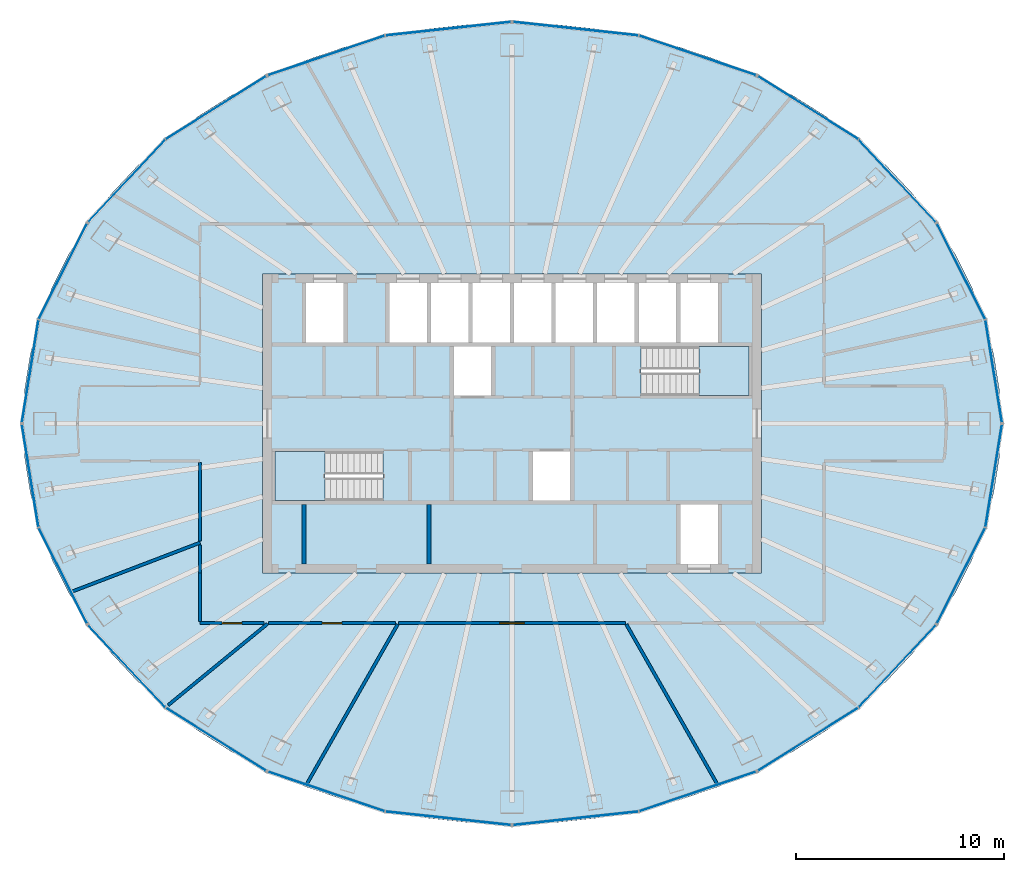
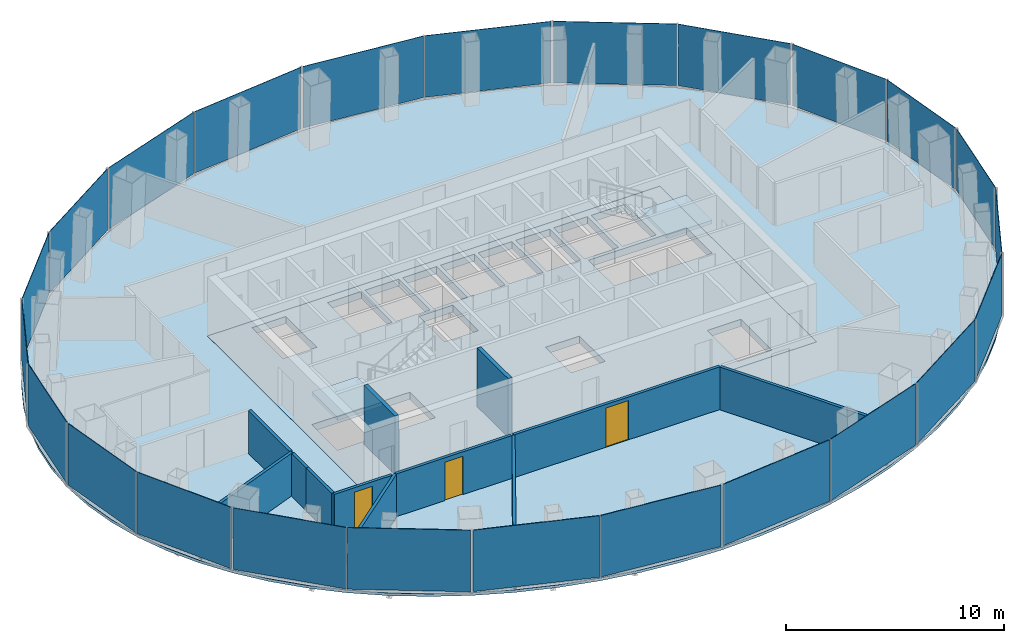
# One storey, part 8 of 13: 24 plates, 12 walls, 4 slabs, 3 doors, 3 openings, 14 elements without a shape of their own.
"""IFC4 building model written with IfcOpenShell, lengths in metres."""

import ifcopenshell
import ifcopenshell.guid

model = None  # the IFC model being written
_history = None  # IfcOwnerHistory: only IFC2X3 demands one
_inside = {}  # id of a spatial element -> (the spatial element, [elements in it])
_under = {}  # id of a project, library or spatial element -> (it, [spatial elements below it])
_declared = {}  # id of a project -> (the project, [libraries it declares])
_typed = {}  # id of a type object -> (the type object, [elements of that type])
_made_of = {}  # id of a material, layer set ... -> (it, [elements and type objects made of it])


def new_model(schema):
    """Start an empty IFC model of exactly this schema.

    Asked for "IFC4X3", IfcOpenShell would pick the latest addendum, in which some entities
    have other attributes; the version numbers below select the first issue.
    IFC2X3 requires an IfcOwnerHistory on every rooted entity: one is made here for all.
    """
    global model, _history
    if schema == "IFC4X3":
        model = ifcopenshell.file(schema_version=(4, 3, 0, 0))
    else:
        model = ifcopenshell.file(schema=schema)
    _inside.clear()
    _under.clear()
    _declared.clear()
    _typed.clear()
    _made_of.clear()
    _history = None
    if model.schema == "IFC2X3":
        org = make("IfcOrganization", Name="unknown")
        user = make(
            "IfcPersonAndOrganization",
            ThePerson=make("IfcPerson", FamilyName="unknown"),
            TheOrganization=org,
        )
        app = make(
            "IfcApplication",
            ApplicationDeveloper=org,
            Version="unknown",
            ApplicationFullName="unknown",
            ApplicationIdentifier="unknown",
        )
        _history = make(
            "IfcOwnerHistory",
            OwningUser=user,
            OwningApplication=app,
            ChangeAction="ADDED",
            CreationDate=0,
        )
    return model


def make(cls, **values):
    """One entity of the class cls with the attributes given. An attribute that is None is left unset."""
    return model.create_entity(
        cls, **{name: value for name, value in values.items() if value is not None}
    )


def rooted(cls, **values):
    """An entity with a GlobalId (a new one), such as an element, a storey or a relation."""
    return make(cls, GlobalId=ifcopenshell.guid.new(), OwnerHistory=_history, **values)


def si_unit(unit_type, name, prefix=None):
    """IfcSIUnit, for example si_unit("LENGTHUNIT", "METRE", prefix="MILLI")."""
    return make("IfcSIUnit", UnitType=unit_type, Prefix=prefix, Name=name)


def assignment(units):
    """IfcUnitAssignment: the units of a project."""
    return None if units is None else make("IfcUnitAssignment", Units=units)


def point(xyz):
    """IfcCartesianPoint."""
    return None if xyz is None else make("IfcCartesianPoint", Coordinates=xyz)


def direction(xyz):
    """IfcDirection."""
    return None if xyz is None else make("IfcDirection", DirectionRatios=xyz)


def frame(location, z_axis=None, x_axis=None):
    """IfcAxis2Placement3D, a coordinate frame: its origin and axes. An axis left out is left unset."""
    return make(
        "IfcAxis2Placement3D",
        Location=point(location),
        Axis=direction(z_axis),
        RefDirection=direction(x_axis),
    )


def frame_2d(location, x_axis=None):
    """IfcAxis2Placement2D, a coordinate frame in the plane: its origin and x axis."""
    return make(
        "IfcAxis2Placement2D", Location=point(location), RefDirection=direction(x_axis)
    )


def origin():
    """The frame at (0, 0, 0) with its axes left unset."""
    return frame((0.0, 0.0, 0.0))


def origin_2d():
    """The frame at (0, 0) in the plane with its x axis left unset."""
    return frame_2d((0.0, 0.0))


def place(relative_to, where):
    """IfcLocalPlacement: puts the frame where relative to a parent placement (None: the world)."""
    return make(
        "IfcLocalPlacement", PlacementRelTo=relative_to, RelativePlacement=where
    )


def context(
    kind, dimensions, precision=None, world=None, true_north=None, identifier=None
):
    """IfcGeometricRepresentationContext, for example the 3D "Model" context."""
    return make(
        "IfcGeometricRepresentationContext",
        ContextIdentifier=identifier,
        ContextType=kind,
        CoordinateSpaceDimension=dimensions,
        Precision=precision,
        WorldCoordinateSystem=world,
        TrueNorth=true_north,
    )


def subcontext(parent, identifier, kind, view, scale=None):
    """IfcGeometricRepresentationSubContext, for example "Body" below "Model"."""
    return make(
        "IfcGeometricRepresentationSubContext",
        ContextIdentifier=identifier,
        ContextType=kind,
        ParentContext=parent,
        TargetScale=scale,
        TargetView=view,
    )


def project(units=None, contexts=None):
    """IfcProject with its units and contexts."""
    return rooted(
        "IfcProject",
        Name="project",
        RepresentationContexts=contexts,
        UnitsInContext=assignment(units),
    )


def spatial(cls, under=None, at=None, **own):
    """A site, building, storey or space (cls), placed at a placement, below another one or the project."""
    s = rooted(cls, ObjectPlacement=at, **own)
    if under is not None:
        _under.setdefault(under.id(), (under, []))[1].append(s)
    return s


def polyline(points):
    """IfcPolyline through the points."""
    return make("IfcPolyline", Points=[point(p) for p in points])


def profile(cls, at=None, kind="AREA", **sizes):
    """A parametric profile (cls). Its sizes go by their IFC names, for example OverallWidth=200.0."""
    return make(cls, ProfileType=kind, Position=at, **sizes)


def rectangle(**sizes):
    """IfcRectangleProfileDef."""
    return profile("IfcRectangleProfileDef", **sizes)


def outline(outer, holes=None, kind="AREA"):
    """IfcArbitraryClosedProfileDef: a profile drawn as a closed curve; with holes, ...WithVoids."""
    if holes is None:
        return make("IfcArbitraryClosedProfileDef", ProfileType=kind, OuterCurve=outer)
    return make(
        "IfcArbitraryProfileDefWithVoids",
        ProfileType=kind,
        OuterCurve=outer,
        InnerCurves=holes,
    )


def extrude(swept, where, along, depth):
    """IfcExtrudedAreaSolid: the profile swept, set in the frame where, extruded along a direction by depth."""
    return make(
        "IfcExtrudedAreaSolid",
        SweptArea=swept,
        Position=where,
        ExtrudedDirection=direction(along),
        Depth=depth,
    )


def shape(context_of_items, identifier, shape_type, items):
    """IfcShapeRepresentation: the items that make up one representation, for example the "Body"."""
    return make(
        "IfcShapeRepresentation",
        ContextOfItems=context_of_items,
        RepresentationIdentifier=identifier,
        RepresentationType=shape_type,
        Items=items,
    )


def material(Name=None, Category=None):
    """IfcMaterial."""
    return make("IfcMaterial", Name=Name, Category=Category)


def layer(
    of_material, thickness, ventilated=None, Name=None, Category=None, Priority=None
):
    """IfcMaterialLayer: one layer of a wall or slab, of a material (None: an air gap)."""
    return make(
        "IfcMaterialLayer",
        Material=of_material,
        LayerThickness=thickness,
        IsVentilated=ventilated,
        Name=Name,
        Category=Category,
        Priority=Priority,
    )


def layer_set(layers, Name=None):
    """IfcMaterialLayerSet."""
    return make("IfcMaterialLayerSet", MaterialLayers=layers, LayerSetName=Name)


def made_of(thing, what):
    """Note that an element or type object is made of a material, layer set ...; save() writes the relation."""
    if what is not None:
        _made_of.setdefault(what.id(), (what, []))[1].append(thing)
    return thing


def type_object(cls, material=None, **own):
    """A type object (cls), such as IfcWallType, which elements share."""
    return made_of(rooted(cls, **own), material)


def element(
    cls,
    number,
    at=None,
    inside=None,
    cuts=None,
    type_object=None,
    material=None,
    context=None,
    identifier="Body",
    shape_type=None,
    held_by="IfcProductDefinitionShape",
    body=None,
    shapes=None,
    **own,
):
    """One element of the class cls, such as IfcWall. Its Tag is "e" and its number.

    at: its placement. inside: the storey or other place that contains it. cuts: it is an
    opening in that element (IfcRelVoidsElement). A single representation is given by context,
    identifier, shape_type and body (its items); several are given by shapes. held_by: the class
    of the entity that holds the representations. save() writes the other relations.
    """
    e = rooted(cls, Tag="e%d" % number, ObjectPlacement=at, **own)
    if body is not None:
        shapes = [shape(context, identifier, shape_type, body)]
    if shapes is not None:
        e.Representation = make(held_by, Representations=shapes)
    if inside is not None:
        _inside.setdefault(inside.id(), (inside, []))[1].append(e)
    if cuts is not None:
        rooted(
            "IfcRelVoidsElement", RelatingBuildingElement=cuts, RelatedOpeningElement=e
        )
    if type_object is not None:
        _typed.setdefault(type_object.id(), (type_object, []))[1].append(e)
    return made_of(e, material)


def fill(opening, filler):
    """IfcRelFillsElement: the door or window that sits in an opening."""
    return rooted(
        "IfcRelFillsElement",
        RelatingOpeningElement=opening,
        RelatedBuildingElement=filler,
    )


def aggregate(whole, parts):
    """IfcRelAggregates: a whole, such as a stair, and the parts it consists of."""
    return rooted("IfcRelAggregates", RelatingObject=whole, RelatedObjects=parts)


def save(model, path):
    """Write the relations noted so far, then the file.

    IfcRelAggregates (storeys below a building ...), IfcRelContainedInSpatialStructure (elements
    in a storey), IfcRelDefinesByType, IfcRelAssociatesMaterial and IfcRelDeclares: one each for
    every whole, place, type object, material and project.
    """
    for whole, parts in _under.values():
        aggregate(whole, parts)
    for where, things in _inside.values():
        rooted(
            "IfcRelContainedInSpatialStructure",
            RelatedElements=things,
            RelatingStructure=where,
        )
    for kind, things in _typed.values():
        rooted("IfcRelDefinesByType", RelatedObjects=things, RelatingType=kind)
    for what, things in _made_of.values():
        rooted("IfcRelAssociatesMaterial", RelatedObjects=things, RelatingMaterial=what)
    for by, libraries in _declared.values():
        rooted("IfcRelDeclares", RelatingContext=by, RelatedDefinitions=libraries)
    model.write(path)


model = new_model("IFC4")

# Units and contexts
model_context = context("Model", 3, precision=1e-05, world=origin(), true_north=direction((0.0, 1.0)))
body_context = subcontext(model_context, "Body", "Model", "MODEL_VIEW")
ifc_project = project(units=[si_unit("LENGTHUNIT", "METRE"), si_unit("AREAUNIT", "SQUARE_METRE"), si_unit("VOLUMEUNIT", "CUBIC_METRE"), si_unit("PLANEANGLEUNIT", "RADIAN"), si_unit("MASSUNIT", "GRAM", prefix="KILO")], contexts=[model_context])

# Site, building, storey
site_placement = place(None, origin())
site = spatial("IfcSite", under=ifc_project, at=site_placement, CompositionType="ELEMENT")
building_placement = place(site_placement, origin())
building = spatial("IfcBuilding", under=site, at=building_placement, Name="Siaravel Broadcast Tower", CompositionType="ELEMENT")
storey_placement = place(building_placement, frame((0.0, 0.0, 171.89990234375)))
storey = spatial("IfcBuildingStorey", under=building, at=storey_placement, Name="L41", CompositionType="ELEMENT", Elevation=171.89990234375)

# Curtain wall, plates
ifc_material_1 = material(Name="Aluminium 6063-T6", Category="aluminium")
ifc_layer_1 = layer(ifc_material_1, 0.179931640625)
ifc_layer_set_1 = layer_set([ifc_layer_1], Name="Aluminium 6063-T6")
curtain_wall_type = type_object("IfcCurtainWallType", Name="Unitised curtain wall, zone 3", PredefinedType="NOTDEFINED", material=ifc_layer_set_1)
curtain_wall_1_placement = place(storey_placement, origin())
curtain_wall_1 = element("IfcCurtainWall", 1, at=curtain_wall_1_placement, inside=storey, type_object=curtain_wall_type, Name="L41 Unitised curtain wall, zone 3 01", PredefinedType="NOTDEFINED")
ifc_material_2 = material(Name="Tinted insulated glass", Category="glass")
ifc_layer_2 = layer(ifc_material_2, 0.028076171875)
ifc_layer_set_2 = layer_set([ifc_layer_2], Name="Tinted insulated glass")
plate_type = type_object("IfcPlateType", Name="CW-Z3 glass panel", PredefinedType="CURTAIN_PANEL", material=ifc_layer_set_2)
plate_1_placement = place(storey_placement, frame((23.17431640625, 2.5166015625, 0.10009765625), z_axis=(0.0, 0.0, 1.0), x_axis=(-0.15868563, 0.98732916, 0.0)))
plate_1 = element("IfcPlate", 2, at=plate_1_placement, type_object=plate_type, Name="CW-Z3 glass panel", PredefinedType="CURTAIN_PANEL", context=body_context, shape_type="SweptSolid", body=[
    extrude(rectangle(XDim=4.977783203125, YDim=0.028076171875, at=origin_2d()), origin(), (0.0, 0.0, 1.0), 3.449951171875),
])
plate_2_placement = place(storey_placement, frame((21.602783203125, 7.321044921875, 0.10009765625), z_axis=(0.0, 0.0, 1.0), x_axis=(-0.4512612, 0.892391915, 0.0)))
plate_2 = element("IfcPlate", 3, at=plate_2_placement, type_object=plate_type, Name="CW-Z3 glass panel", PredefinedType="CURTAIN_PANEL", context=body_context, shape_type="SweptSolid", body=[
    extrude(rectangle(XDim=5.133544921875, YDim=0.028076171875, at=origin_2d()), origin(), (0.0, 0.0, 1.0), 3.449951171875),
])
aggregate(curtain_wall_1, [plate_1, plate_2])

curtain_wall_2_placement = place(storey_placement, origin())
curtain_wall_2 = element("IfcCurtainWall", 4, at=curtain_wall_2_placement, inside=storey, type_object=curtain_wall_type, Name="L41 Unitised curtain wall, zone 3 02", PredefinedType="NOTDEFINED")
plate_3_placement = place(storey_placement, frame((18.532958984375, 11.6767578125, 0.10009765625), z_axis=(0.0, 0.0, 1.0), x_axis=(-0.683655498, 0.729804878, 0.0)))
plate_3 = element("IfcPlate", 5, at=plate_3_placement, type_object=plate_type, Name="CW-Z3 glass panel", PredefinedType="CURTAIN_PANEL", context=body_context, shape_type="SweptSolid", body=[
    extrude(rectangle(XDim=5.392822265625, YDim=0.028076171875, at=origin_2d()), origin(), (0.0, 0.0, 1.0), 3.449951171875),
])
plate_4_placement = place(storey_placement, frame((14.239990234375, 15.193115234375, 0.10009765625), z_axis=(0.0, 0.0, 1.0), x_axis=(-0.846650852, 0.532148789, 0.0)))
plate_4 = element("IfcPlate", 6, at=plate_4_placement, type_object=plate_type, Name="CW-Z3 glass panel", PredefinedType="CURTAIN_PANEL", context=body_context, shape_type="SweptSolid", body=[
    extrude(rectangle(XDim=5.677734375, YDim=0.028076171875, at=origin_2d()), origin(), (0.0, 0.0, 1.0), 3.449951171875),
])
aggregate(curtain_wall_2, [plate_3, plate_4])

curtain_wall_3_placement = place(storey_placement, origin())
curtain_wall_3 = element("IfcCurtainWall", 7, at=curtain_wall_3_placement, inside=storey, type_object=curtain_wall_type, Name="L41 Unitised curtain wall, zone 3 03", PredefinedType="NOTDEFINED")
plate_5_placement = place(storey_placement, frame((8.928955078125, 17.705078125, 0.10009765625), z_axis=(0.0, 0.0, 1.0), x_axis=(-0.946977364, 0.321300283, 0.0)))
plate_5 = element("IfcPlate", 8, at=plate_5_placement, type_object=plate_type, Name="CW-Z3 glass panel", PredefinedType="CURTAIN_PANEL", context=body_context, shape_type="SweptSolid", body=[
    extrude(rectangle(XDim=5.913818359375, YDim=0.028076171875, at=origin_2d()), origin(), (0.0, 0.0, 1.0), 3.449951171875),
])
plate_6_placement = place(storey_placement, frame((3.065185546875, 18.9921875, 0.10009765625), z_axis=(0.0, 0.0, 1.0), x_axis=(-0.994235605, 0.107217362, 0.0)))
plate_6 = element("IfcPlate", 9, at=plate_6_placement, type_object=plate_type, Name="CW-Z3 glass panel", PredefinedType="CURTAIN_PANEL", context=body_context, shape_type="SweptSolid", body=[
    extrude(rectangle(XDim=6.0458984375, YDim=0.028076171875, at=origin_2d()), origin(), (0.0, 0.0, 1.0), 3.449951171875),
])
aggregate(curtain_wall_3, [plate_5, plate_6])

curtain_wall_4_placement = place(storey_placement, origin())
curtain_wall_4 = element("IfcCurtainWall", 10, at=curtain_wall_4_placement, inside=storey, type_object=curtain_wall_type, Name="L41 Unitised curtain wall, zone 3 04", PredefinedType="NOTDEFINED")
plate_7_placement = place(storey_placement, frame((-3.065185546875, 18.9921875, 0.10009765625), z_axis=(0.0, 0.0, 1.0), x_axis=(-0.994235605, -0.107217362, 0.0)))
plate_7 = element("IfcPlate", 11, at=plate_7_placement, type_object=plate_type, Name="CW-Z3 glass panel", PredefinedType="CURTAIN_PANEL", context=body_context, shape_type="SweptSolid", body=[
    extrude(rectangle(XDim=6.0458984375, YDim=0.028076171875, at=origin_2d()), origin(), (0.0, 0.0, 1.0), 3.449951171875),
])
plate_8_placement = place(storey_placement, frame((-8.928955078125, 17.705078125, 0.10009765625), z_axis=(0.0, 0.0, 1.0), x_axis=(-0.946977364, -0.321300283, 0.0)))
plate_8 = element("IfcPlate", 12, at=plate_8_placement, type_object=plate_type, Name="CW-Z3 glass panel", PredefinedType="CURTAIN_PANEL", context=body_context, shape_type="SweptSolid", body=[
    extrude(rectangle(XDim=5.913818359375, YDim=0.028076171875, at=origin_2d()), origin(), (0.0, 0.0, 1.0), 3.449951171875),
])
aggregate(curtain_wall_4, [plate_7, plate_8])

curtain_wall_5_placement = place(storey_placement, origin())
curtain_wall_5 = element("IfcCurtainWall", 13, at=curtain_wall_5_placement, inside=storey, type_object=curtain_wall_type, Name="L41 Unitised curtain wall, zone 3 05", PredefinedType="NOTDEFINED")
plate_9_placement = place(storey_placement, frame((-14.239990234375, 15.193115234375, 0.10009765625), z_axis=(0.0, 0.0, 1.0), x_axis=(-0.846650852, -0.532148789, 0.0)))
plate_9 = element("IfcPlate", 14, at=plate_9_placement, type_object=plate_type, Name="CW-Z3 glass panel", PredefinedType="CURTAIN_PANEL", context=body_context, shape_type="SweptSolid", body=[
    extrude(rectangle(XDim=5.677734375, YDim=0.028076171875, at=origin_2d()), origin(), (0.0, 0.0, 1.0), 3.449951171875),
])
plate_10_placement = place(storey_placement, frame((-18.532958984375, 11.6767578125, 0.10009765625), z_axis=(0.0, 0.0, 1.0), x_axis=(-0.683655498, -0.729804878, 0.0)))
plate_10 = element("IfcPlate", 15, at=plate_10_placement, type_object=plate_type, Name="CW-Z3 glass panel", PredefinedType="CURTAIN_PANEL", context=body_context, shape_type="SweptSolid", body=[
    extrude(rectangle(XDim=5.392822265625, YDim=0.028076171875, at=origin_2d()), origin(), (0.0, 0.0, 1.0), 3.449951171875),
])
aggregate(curtain_wall_5, [plate_9, plate_10])

curtain_wall_6_placement = place(storey_placement, origin())
curtain_wall_6 = element("IfcCurtainWall", 16, at=curtain_wall_6_placement, inside=storey, type_object=curtain_wall_type, Name="L41 Unitised curtain wall, zone 3 06", PredefinedType="NOTDEFINED")
plate_11_placement = place(storey_placement, frame((-21.602783203125, 7.321044921875, 0.10009765625), z_axis=(0.0, 0.0, 1.0), x_axis=(-0.4512612, -0.892391915, 0.0)))
plate_11 = element("IfcPlate", 17, at=plate_11_placement, type_object=plate_type, Name="CW-Z3 glass panel", PredefinedType="CURTAIN_PANEL", context=body_context, shape_type="SweptSolid", body=[
    extrude(rectangle(XDim=5.133544921875, YDim=0.028076171875, at=origin_2d()), origin(), (0.0, 0.0, 1.0), 3.449951171875),
])
plate_12_placement = place(storey_placement, frame((-23.17431640625, 2.5166015625, 0.10009765625), z_axis=(0.0, 0.0, 1.0), x_axis=(-0.15868563, -0.98732916, 0.0)))
plate_12 = element("IfcPlate", 18, at=plate_12_placement, type_object=plate_type, Name="CW-Z3 glass panel", PredefinedType="CURTAIN_PANEL", context=body_context, shape_type="SweptSolid", body=[
    extrude(rectangle(XDim=4.977783203125, YDim=0.028076171875, at=origin_2d()), origin(), (0.0, 0.0, 1.0), 3.449951171875),
])
aggregate(curtain_wall_6, [plate_11, plate_12])

curtain_wall_7_placement = place(storey_placement, origin())
curtain_wall_7 = element("IfcCurtainWall", 19, at=curtain_wall_7_placement, inside=storey, type_object=curtain_wall_type, Name="L41 Unitised curtain wall, zone 3 07", PredefinedType="NOTDEFINED")
plate_13_placement = place(storey_placement, frame((-23.17431640625, -2.5166015625, 0.10009765625), z_axis=(0.0, 0.0, 1.0), x_axis=(0.15868563, -0.98732916, 0.0)))
plate_13 = element("IfcPlate", 20, at=plate_13_placement, type_object=plate_type, Name="CW-Z3 glass panel", PredefinedType="CURTAIN_PANEL", context=body_context, shape_type="SweptSolid", body=[
    extrude(rectangle(XDim=4.977783203125, YDim=0.028076171875, at=origin_2d()), origin(), (0.0, 0.0, 1.0), 3.449951171875),
])
plate_14_placement = place(storey_placement, frame((-21.602783203125, -7.321044921875, 0.10009765625), z_axis=(0.0, 0.0, 1.0), x_axis=(0.4512612, -0.892391915, 0.0)))
plate_14 = element("IfcPlate", 21, at=plate_14_placement, type_object=plate_type, Name="CW-Z3 glass panel", PredefinedType="CURTAIN_PANEL", context=body_context, shape_type="SweptSolid", body=[
    extrude(rectangle(XDim=5.133544921875, YDim=0.028076171875, at=origin_2d()), origin(), (0.0, 0.0, 1.0), 3.449951171875),
])
aggregate(curtain_wall_7, [plate_13, plate_14])

curtain_wall_8_placement = place(storey_placement, origin())
curtain_wall_8 = element("IfcCurtainWall", 22, at=curtain_wall_8_placement, inside=storey, type_object=curtain_wall_type, Name="L41 Unitised curtain wall, zone 3 08", PredefinedType="NOTDEFINED")
plate_15_placement = place(storey_placement, frame((-18.532958984375, -11.6767578125, 0.10009765625), z_axis=(0.0, 0.0, 1.0), x_axis=(0.683655498, -0.729804878, 0.0)))
plate_15 = element("IfcPlate", 23, at=plate_15_placement, type_object=plate_type, Name="CW-Z3 glass panel", PredefinedType="CURTAIN_PANEL", context=body_context, shape_type="SweptSolid", body=[
    extrude(rectangle(XDim=5.392822265625, YDim=0.028076171875, at=origin_2d()), origin(), (0.0, 0.0, 1.0), 3.449951171875),
])
plate_16_placement = place(storey_placement, frame((-14.239990234375, -15.193115234375, 0.10009765625), z_axis=(0.0, 0.0, 1.0), x_axis=(0.846650852, -0.532148789, 0.0)))
plate_16 = element("IfcPlate", 24, at=plate_16_placement, type_object=plate_type, Name="CW-Z3 glass panel", PredefinedType="CURTAIN_PANEL", context=body_context, shape_type="SweptSolid", body=[
    extrude(rectangle(XDim=5.677734375, YDim=0.028076171875, at=origin_2d()), origin(), (0.0, 0.0, 1.0), 3.449951171875),
])
aggregate(curtain_wall_8, [plate_15, plate_16])

curtain_wall_9_placement = place(storey_placement, origin())
curtain_wall_9 = element("IfcCurtainWall", 25, at=curtain_wall_9_placement, inside=storey, type_object=curtain_wall_type, Name="L41 Unitised curtain wall, zone 3 09", PredefinedType="NOTDEFINED")
plate_17_placement = place(storey_placement, frame((-8.928955078125, -17.705078125, 0.10009765625), z_axis=(0.0, 0.0, 1.0), x_axis=(0.946977364, -0.321300283, 0.0)))
plate_17 = element("IfcPlate", 26, at=plate_17_placement, type_object=plate_type, Name="CW-Z3 glass panel", PredefinedType="CURTAIN_PANEL", context=body_context, shape_type="SweptSolid", body=[
    extrude(rectangle(XDim=5.913818359375, YDim=0.028076171875, at=origin_2d()), origin(), (0.0, 0.0, 1.0), 3.449951171875),
])
plate_18_placement = place(storey_placement, frame((-3.065185546875, -18.9921875, 0.10009765625), z_axis=(0.0, 0.0, 1.0), x_axis=(0.994235605, -0.107217362, 0.0)))
plate_18 = element("IfcPlate", 27, at=plate_18_placement, type_object=plate_type, Name="CW-Z3 glass panel", PredefinedType="CURTAIN_PANEL", context=body_context, shape_type="SweptSolid", body=[
    extrude(rectangle(XDim=6.0458984375, YDim=0.028076171875, at=origin_2d()), origin(), (0.0, 0.0, 1.0), 3.449951171875),
])
aggregate(curtain_wall_9, [plate_17, plate_18])

curtain_wall_10_placement = place(storey_placement, origin())
curtain_wall_10 = element("IfcCurtainWall", 28, at=curtain_wall_10_placement, inside=storey, type_object=curtain_wall_type, Name="L41 Unitised curtain wall, zone 3 10", PredefinedType="NOTDEFINED")
plate_19_placement = place(storey_placement, frame((3.065185546875, -18.9921875, 0.10009765625), z_axis=(0.0, 0.0, 1.0), x_axis=(0.994235605, 0.107217362, 0.0)))
plate_19 = element("IfcPlate", 29, at=plate_19_placement, type_object=plate_type, Name="CW-Z3 glass panel", PredefinedType="CURTAIN_PANEL", context=body_context, shape_type="SweptSolid", body=[
    extrude(rectangle(XDim=6.0458984375, YDim=0.028076171875, at=origin_2d()), origin(), (0.0, 0.0, 1.0), 3.449951171875),
])
plate_20_placement = place(storey_placement, frame((8.928955078125, -17.705078125, 0.10009765625), z_axis=(0.0, 0.0, 1.0), x_axis=(0.946977364, 0.321300283, 0.0)))
plate_20 = element("IfcPlate", 30, at=plate_20_placement, type_object=plate_type, Name="CW-Z3 glass panel", PredefinedType="CURTAIN_PANEL", context=body_context, shape_type="SweptSolid", body=[
    extrude(rectangle(XDim=5.913818359375, YDim=0.028076171875, at=origin_2d()), origin(), (0.0, 0.0, 1.0), 3.449951171875),
])
aggregate(curtain_wall_10, [plate_19, plate_20])

curtain_wall_11_placement = place(storey_placement, origin())
curtain_wall_11 = element("IfcCurtainWall", 31, at=curtain_wall_11_placement, inside=storey, type_object=curtain_wall_type, Name="L41 Unitised curtain wall, zone 3 11", PredefinedType="NOTDEFINED")
plate_21_placement = place(storey_placement, frame((14.239990234375, -15.193115234375, 0.10009765625), z_axis=(0.0, 0.0, 1.0), x_axis=(0.846650852, 0.532148789, 0.0)))
plate_21 = element("IfcPlate", 32, at=plate_21_placement, type_object=plate_type, Name="CW-Z3 glass panel", PredefinedType="CURTAIN_PANEL", context=body_context, shape_type="SweptSolid", body=[
    extrude(rectangle(XDim=5.677734375, YDim=0.028076171875, at=origin_2d()), origin(), (0.0, 0.0, 1.0), 3.449951171875),
])
plate_22_placement = place(storey_placement, frame((18.532958984375, -11.6767578125, 0.10009765625), z_axis=(0.0, 0.0, 1.0), x_axis=(0.683655498, 0.729804878, 0.0)))
plate_22 = element("IfcPlate", 33, at=plate_22_placement, type_object=plate_type, Name="CW-Z3 glass panel", PredefinedType="CURTAIN_PANEL", context=body_context, shape_type="SweptSolid", body=[
    extrude(rectangle(XDim=5.392822265625, YDim=0.028076171875, at=origin_2d()), origin(), (0.0, 0.0, 1.0), 3.449951171875),
])
aggregate(curtain_wall_11, [plate_21, plate_22])

curtain_wall_12_placement = place(storey_placement, origin())
curtain_wall_12 = element("IfcCurtainWall", 34, at=curtain_wall_12_placement, inside=storey, type_object=curtain_wall_type, Name="L41 Unitised curtain wall, zone 3 12", PredefinedType="NOTDEFINED")
plate_23_placement = place(storey_placement, frame((21.602783203125, -7.321044921875, 0.10009765625), z_axis=(0.0, 0.0, 1.0), x_axis=(0.4512612, 0.892391915, 0.0)))
plate_23 = element("IfcPlate", 35, at=plate_23_placement, type_object=plate_type, Name="CW-Z3 glass panel", PredefinedType="CURTAIN_PANEL", context=body_context, shape_type="SweptSolid", body=[
    extrude(rectangle(XDim=5.133544921875, YDim=0.028076171875, at=origin_2d()), origin(), (0.0, 0.0, 1.0), 3.449951171875),
])
plate_24_placement = place(storey_placement, frame((23.17431640625, -2.5166015625, 0.10009765625), z_axis=(0.0, 0.0, 1.0), x_axis=(0.15868563, 0.98732916, 0.0)))
plate_24 = element("IfcPlate", 36, at=plate_24_placement, type_object=plate_type, Name="CW-Z3 glass panel", PredefinedType="CURTAIN_PANEL", context=body_context, shape_type="SweptSolid", body=[
    extrude(rectangle(XDim=4.977783203125, YDim=0.028076171875, at=origin_2d()), origin(), (0.0, 0.0, 1.0), 3.449951171875),
])
aggregate(curtain_wall_12, [plate_23, plate_24])

# Slabs
ifc_material_3 = material(Name="Concrete C40/50", Category="concrete")
ifc_layer_3 = layer(ifc_material_3, 0.39990234375)
ifc_layer_set_3 = layer_set([ifc_layer_3], Name="Concrete C40/50")
slab_type_1 = type_object("IfcSlabType", Name="Core floor slab 400", PredefinedType="FLOOR", material=ifc_layer_set_3)
slab_1_placement = place(storey_placement, frame((0.0, 0.0, -0.39990234375)))
element("IfcSlab", 37, at=slab_1_placement, inside=storey, type_object=slab_type_1, Name="L41 core floor", PredefinedType="FLOOR", context=body_context, shape_type="SweptSolid", body=[
    extrude(outline(polyline([(-12.0, -7.199951171875), (-12.0, 7.199951171875), (12.0, 7.199951171875), (12.0, -7.199951171875), (-12.0, -7.199951171875)]), holes=[polyline([(11.3994140625, 1.3505859375), (11.3994140625, 3.699462890625), (6.200439453125, 3.699462890625), (6.200439453125, 1.3505859375), (11.3994140625, 1.3505859375)]), polyline([(8.10009765625, -3.89990234375), (8.10009765625, -6.75), (9.89990234375, -6.75), (9.89990234375, -3.89990234375), (8.10009765625, -3.89990234375)]), polyline([(9.89990234375, 6.75), (8.10009765625, 6.75), (8.10009765625, 3.89990234375), (9.89990234375, 3.89990234375), (9.89990234375, 6.75)]), polyline([(7.89990234375, 6.75), (6.10009765625, 6.75), (6.10009765625, 3.89990234375), (7.89990234375, 3.89990234375), (7.89990234375, 6.75)]), polyline([(5.89990234375, 6.75), (4.10009765625, 6.75), (4.10009765625, 3.89990234375), (5.89990234375, 3.89990234375), (5.89990234375, 6.75)]), polyline([(3.89990234375, 6.75), (2.10009765625, 6.75), (2.10009765625, 3.89990234375), (3.89990234375, 3.89990234375), (3.89990234375, 6.75)]), polyline([(2.800048828125, -1.35009765625), (1.0, -1.35009765625), (1.0, -3.699951171875), (2.800048828125, -3.699951171875), (2.800048828125, -1.35009765625)]), polyline([(1.89990234375, 6.75), (0.10009765625, 6.75), (0.10009765625, 3.89990234375), (1.89990234375, 3.89990234375), (1.89990234375, 6.75)]), polyline([(-0.10009765625, 6.75), (-1.89990234375, 6.75), (-1.89990234375, 3.89990234375), (-0.10009765625, 3.89990234375), (-0.10009765625, 6.75)]), polyline([(-1.0, 3.699951171875), (-2.800048828125, 3.699951171875), (-2.800048828125, 1.35009765625), (-1.0, 1.35009765625), (-1.0, 3.699951171875)]), polyline([(-2.10009765625, 6.75), (-3.89990234375, 6.75), (-3.89990234375, 3.89990234375), (-2.10009765625, 3.89990234375), (-2.10009765625, 6.75)]), polyline([(-4.10009765625, 6.75), (-5.89990234375, 6.75), (-5.89990234375, 3.89990234375), (-4.10009765625, 3.89990234375), (-4.10009765625, 6.75)]), polyline([(-11.3994140625, -3.699462890625), (-6.200439453125, -3.699462890625), (-6.200439453125, -1.3505859375), (-11.3994140625, -1.3505859375), (-11.3994140625, -3.699462890625)]), polyline([(-8.10009765625, 6.75), (-9.89990234375, 6.75), (-9.89990234375, 3.89990234375), (-8.10009765625, 3.89990234375), (-8.10009765625, 6.75)])]), origin(), (0.0, 0.0, 1.0), 0.39990234375),
])
ifc_layer_4 = layer(ifc_material_3, 0.14990234375)
ifc_layer_set_4 = layer_set([ifc_layer_4], Name="Concrete C40/50")
slab_type_2 = type_object("IfcSlabType", Name="SLB-FLOOR-150", PredefinedType="FLOOR", material=ifc_layer_set_4)
slab_2_placement = place(storey_placement, frame((0.0, 0.0, -0.14990234375)))
element("IfcSlab", 38, at=slab_2_placement, inside=storey, type_object=slab_type_2, Name="Floor slab", PredefinedType="FLOOR", context=body_context, shape_type="SweptSolid", body=[
    extrude(outline(polyline([(23.52880859375, 0.0), (23.439208984375, 1.6796875), (23.171142578125, 3.3466796875), (22.72705078125, 4.988037109375), (22.109619140625, 6.591552734375), (21.32421875, 8.14501953125), (20.37646484375, 9.63623046875), (19.273681640625, 11.05419921875), (18.02392578125, 12.38818359375), (16.63720703125, 13.627685546875), (15.1240234375, 14.763671875), (13.49560546875, 15.787109375), (11.764404296875, 16.690673828125), (9.943603515625, 17.466796875), (8.04736328125, 18.1103515625), (6.089599609375, 18.615966796875), (4.085693359375, 18.979736328125), (2.05078125, 19.19921875), (0.0, 19.272705078125), (-2.05078125, 19.19921875), (-4.085693359375, 18.979736328125), (-6.089599609375, 18.615966796875), (-8.04736328125, 18.1103515625), (-9.943603515625, 17.466796875), (-11.764404296875, 16.690673828125), (-13.49560546875, 15.787109375), (-15.1240234375, 14.763671875), (-16.63720703125, 13.627685546875), (-18.02392578125, 12.38818359375), (-19.273681640625, 11.05419921875), (-20.37646484375, 9.63623046875), (-21.32421875, 8.14501953125), (-22.109619140625, 6.591552734375), (-22.72705078125, 4.988037109375), (-23.171142578125, 3.3466796875), (-23.439208984375, 1.6796875), (-23.52880859375, 0.0), (-23.439208984375, -1.6796875), (-23.171142578125, -3.3466796875), (-22.72705078125, -4.988037109375), (-22.109619140625, -6.591552734375), (-21.32421875, -8.14501953125), (-20.37646484375, -9.63623046875), (-19.273681640625, -11.05419921875), (-18.02392578125, -12.38818359375), (-16.63720703125, -13.627685546875), (-15.1240234375, -14.763671875), (-13.49560546875, -15.787109375), (-11.764404296875, -16.690673828125), (-9.943603515625, -17.466796875), (-8.04736328125, -18.1103515625), (-6.089599609375, -18.615966796875), (-4.085693359375, -18.979736328125), (-2.05078125, -19.19921875), (0.0, -19.272705078125), (2.05078125, -19.19921875), (4.085693359375, -18.979736328125), (6.089599609375, -18.615966796875), (8.04736328125, -18.1103515625), (9.943603515625, -17.466796875), (11.764404296875, -16.690673828125), (13.49560546875, -15.787109375), (15.1240234375, -14.763671875), (16.63720703125, -13.627685546875), (18.02392578125, -12.38818359375), (19.273681640625, -11.05419921875), (20.37646484375, -9.63623046875), (21.32421875, -8.14501953125), (22.109619140625, -6.591552734375), (22.72705078125, -4.988037109375), (23.171142578125, -3.3466796875), (23.439208984375, -1.6796875), (23.52880859375, 0.0)]), holes=[polyline([(-12.0, 7.199951171875), (12.0, 7.199951171875), (12.0, -7.199951171875), (-12.0, -7.199951171875), (-12.0, 7.199951171875)])]), origin(), (0.0, 0.0, 1.0), 0.14990234375),
])

# Stair, slab
stair_type = type_object("IfcStairType", Name="Core exit stair", PredefinedType="HALF_TURN_STAIR", material=ifc_material_3)
stair_1_placement = place(storey_placement, origin())
stair_1 = element("IfcStair", 39, at=stair_1_placement, inside=storey, type_object=stair_type, Name="L41 Exit stair ST-1", PredefinedType="HALF_TURN_STAIR")
ifc_layer_5 = layer(ifc_material_3, 0.199951171875)
ifc_layer_set_5 = layer_set([ifc_layer_5], Name="Concrete C40/50")
slab_type_3 = type_object("IfcSlabType", Name="Stair landing", PredefinedType="LANDING", material=ifc_layer_set_5)
slab_3_placement = place(storey_placement, frame((0.0, 0.0, 1.650146484375)))
slab_3 = element("IfcSlab", 40, at=slab_3_placement, type_object=slab_type_3, Name="ST-1 landing 1", PredefinedType="LANDING", context=body_context, shape_type="SweptSolid", body=[
    extrude(outline(polyline([(-9.0, -1.35009765625), (-11.39990234375, -1.35009765625), (-11.39990234375, -3.699951171875), (-9.0, -3.699951171875), (-9.0, -1.35009765625)])), origin(), (0.0, 0.0, 1.0), 0.199951171875),
])
aggregate(stair_1, [slab_3])

stair_2_placement = place(storey_placement, origin())
stair_2 = element("IfcStair", 41, at=stair_2_placement, inside=storey, type_object=stair_type, Name="L41 Exit stair ST-2", PredefinedType="HALF_TURN_STAIR")
slab_4_placement = place(storey_placement, frame((0.0, 0.0, 1.650146484375)))
slab_4 = element("IfcSlab", 42, at=slab_4_placement, type_object=slab_type_3, Name="ST-2 landing 1", PredefinedType="LANDING", context=body_context, shape_type="SweptSolid", body=[
    extrude(outline(polyline([(9.0, 1.35009765625), (11.39990234375, 1.35009765625), (11.39990234375, 3.699951171875), (9.0, 3.699951171875), (9.0, 1.35009765625)])), origin(), (0.0, 0.0, 1.0), 0.199951171875),
])
aggregate(stair_2, [slab_4])

# Wall
ifc_material_4 = material(Name="Concrete blockwork", Category="masonry")
ifc_layer_6 = layer(ifc_material_4, 0.199951171875)
ifc_layer_set_6 = layer_set([ifc_layer_6], Name="Concrete blockwork")
wall_type_1 = type_object("IfcWallType", Name="Core partition 200", PredefinedType="PARTITIONING", material=ifc_layer_set_6)
wall_1_placement = place(storey_placement, frame((-4.0, -6.75, 0.0), z_axis=(0.0, 0.0, 1.0), x_axis=(0.0, 1.0, 0.0)))
element("IfcWall", 43, at=wall_1_placement, inside=storey, type_object=wall_type_1, Name="L41 core partition PFS0", PredefinedType="PARTITIONING", context=body_context, shape_type="SweptSolid", body=[
    extrude(rectangle(XDim=2.85009765625, YDim=0.199951171875, at=frame_2d((1.425048828125, 0.0))), origin(), (0.0, 0.0, 1.0), 3.300048828125),
])

# Wall, opening, door
ifc_material_5 = material(Name="Gypsum board partition", Category="gypsum")
ifc_layer_7 = layer(ifc_material_5, 0.14990234375)
ifc_layer_set_7 = layer_set([ifc_layer_7], Name="Gypsum board partition")
wall_type_2 = type_object("IfcWallType", Name="Corridor wall 150", PredefinedType="PARTITIONING", material=ifc_layer_set_7)
wall_2_placement = place(storey_placement, frame((-5.465087890625, -9.60009765625, 0.0), z_axis=(0.0, 0.0, 1.0), x_axis=(1.0, 0.0, 0.0)))
wall_2 = element("IfcWall", 44, at=wall_2_placement, inside=storey, type_object=wall_type_2, Name="L41 partition 2", PredefinedType="PARTITIONING", context=body_context, shape_type="SweptSolid", body=[
    extrude(rectangle(XDim=10.93017578125, YDim=0.14990234375, at=frame_2d((5.465087890625, 0.0))), origin(), (0.0, 0.0, 1.0), 2.400146484375),
])
opening_1_placement = place(wall_2_placement, frame((4.865234375, 0.0, 0.0)))
opening_1 = element("IfcOpeningElement", 45, at=opening_1_placement, cuts=wall_2, Name="Opening L41-002", PredefinedType="OPENING", context=body_context, shape_type="SweptSolid", body=[
    extrude(rectangle(XDim=1.199951171875, YDim=2.199951171875, at=frame_2d((0.60009765625, 1.10009765625))), frame((0.0, 0.0849609375, 0.0), z_axis=(0.0, -1.0, 0.0), x_axis=(1.0, 0.0, 0.0)), (0.0, 0.0, 1.0), 0.169921875),
])
ifc_material_6 = material(Name="Timber veneer", Category="wood")
door_type_1 = type_object("IfcDoorType", Name="Office double door 1200", OperationType="DOUBLE_DOOR_SINGLE_SWING", PredefinedType="DOOR", material=ifc_material_6)
door_1_placement = place(opening_1_placement, origin())
door_1 = element("IfcDoor", 46, at=door_1_placement, inside=storey, type_object=door_type_1, Name="L41 door to Open plan office", OperationType="DOUBLE_DOOR_SINGLE_SWING", OverallHeight=2.199951171875, OverallWidth=1.199951171875, PredefinedType="DOOR", context=body_context, shape_type="SweptSolid", body=[
    extrude(rectangle(XDim=1.199951171875, YDim=2.199951171875, at=frame_2d((0.60009765625, 1.10009765625))), frame((0.0, 0.02490234375, 0.0), z_axis=(0.0, -1.0, 0.0), x_axis=(1.0, 0.0, 0.0)), (0.0, 0.0, 1.0), 0.050048828125),
])
fill(opening_1, door_1)

wall_3_placement = place(storey_placement, frame((-11.719970703125, -9.60009765625, 0.0), z_axis=(0.0, 0.0, 1.0), x_axis=(1.0, 0.0, 0.0)))
wall_3 = element("IfcWall", 47, at=wall_3_placement, inside=storey, type_object=wall_type_2, Name="L41 partition 11", PredefinedType="PARTITIONING", context=body_context, shape_type="SweptSolid", body=[
    extrude(rectangle(XDim=6.123779296875, YDim=0.14990234375, at=frame_2d((3.06201171875, 0.0))), origin(), (0.0, 0.0, 1.0), 2.400146484375),
])
opening_2_placement = place(wall_3_placement, frame((2.5869140625, 0.0, 0.0)))
opening_2 = element("IfcOpeningElement", 48, at=opening_2_placement, cuts=wall_3, Name="Opening L41-001", PredefinedType="OPENING", context=body_context, shape_type="SweptSolid", body=[
    extrude(rectangle(XDim=0.949951171875, YDim=2.14990234375, at=frame_2d((0.47509765625, 1.074951171875))), frame((0.0, 0.0849609375, 0.0), z_axis=(0.0, -1.0, 0.0), x_axis=(1.0, 0.0, 0.0)), (0.0, 0.0, 1.0), 0.169921875),
])
door_type_2 = type_object("IfcDoorType", Name="Office door 950", OperationType="SINGLE_SWING_LEFT", PredefinedType="DOOR", material=ifc_material_6)
door_2_placement = place(opening_2_placement, origin())
door_2 = element("IfcDoor", 49, at=door_2_placement, inside=storey, type_object=door_type_2, Name="L41 door to Office", OperationType="SINGLE_SWING_LEFT", OverallHeight=2.14990234375, OverallWidth=0.949951171875, PredefinedType="DOOR", context=body_context, shape_type="SweptSolid", body=[
    extrude(rectangle(XDim=0.949951171875, YDim=2.14990234375, at=frame_2d((0.47509765625, 1.074951171875))), frame((0.0, 0.02490234375, 0.0), z_axis=(0.0, -1.0, 0.0), x_axis=(1.0, 0.0, 0.0)), (0.0, 0.0, 1.0), 0.050048828125),
])
fill(opening_2, door_2)

# Wall
wall_4_placement = place(storey_placement, frame((-15.0, -1.876953125, 0.0), z_axis=(0.0, 0.0, 1.0), x_axis=(0.0, -1.0, 0.0)))
element("IfcWall", 50, at=wall_4_placement, inside=storey, type_object=wall_type_2, Name="L41 partition 23", PredefinedType="PARTITIONING", context=body_context, shape_type="SweptSolid", body=[
    extrude(rectangle(XDim=3.7802734375, YDim=0.14990234375, at=frame_2d((1.89013671875, 0.0))), origin(), (0.0, 0.0, 1.0), 2.400146484375),
])

# Wall, opening, door
wall_5_placement = place(storey_placement, frame((-15.0, -9.60009765625, 0.0), z_axis=(0.0, 0.0, 1.0), x_axis=(1.0, 0.0, 0.0)))
wall_5 = element("IfcWall", 51, at=wall_5_placement, inside=storey, type_object=wall_type_2, Name="L41 partition 27", PredefinedType="PARTITIONING", context=body_context, shape_type="SweptSolid", body=[
    extrude(rectangle(XDim=3.068115234375, YDim=0.14990234375, at=frame_2d((1.5341796875, 0.0))), origin(), (0.0, 0.0, 1.0), 2.400146484375),
])
opening_3_placement = place(wall_5_placement, frame((1.05908203125, 0.0, 0.0)))
opening_3 = element("IfcOpeningElement", 52, at=opening_3_placement, cuts=wall_5, Name="Opening L41-013", PredefinedType="OPENING", context=body_context, shape_type="SweptSolid", body=[
    extrude(rectangle(XDim=0.949951171875, YDim=2.14990234375, at=frame_2d((0.47509765625, 1.074951171875))), frame((0.0, 0.0849609375, 0.0), z_axis=(0.0, -1.0, 0.0), x_axis=(1.0, 0.0, 0.0)), (0.0, 0.0, 1.0), 0.169921875),
])
door_3_placement = place(opening_3_placement, origin())
door_3 = element("IfcDoor", 53, at=door_3_placement, inside=storey, type_object=door_type_2, Name="L41 door to Reception", OperationType="SINGLE_SWING_LEFT", OverallHeight=2.14990234375, OverallWidth=0.949951171875, PredefinedType="DOOR", context=body_context, shape_type="SweptSolid", body=[
    extrude(rectangle(XDim=0.949951171875, YDim=2.14990234375, at=frame_2d((0.47509765625, 1.074951171875))), frame((0.0, 0.02490234375, 0.0), z_axis=(0.0, -1.0, 0.0), x_axis=(1.0, 0.0, 0.0)), (0.0, 0.0, 1.0), 0.050048828125),
])
fill(opening_3, door_3)

# Walls
wall_6_placement = place(storey_placement, frame((-15.0, -7.18798828125, 0.0), z_axis=(0.0, 0.0, 1.0), x_axis=(0.0, -1.0, 0.0)))
element("IfcWall", 54, at=wall_6_placement, inside=storey, type_object=wall_type_2, Name="L41 partition 29", PredefinedType="PARTITIONING", context=body_context, shape_type="SweptSolid", body=[
    extrude(rectangle(XDim=2.3349609375, YDim=0.14990234375, at=frame_2d((1.16748046875, 0.0))), origin(), (0.0, 0.0, 1.0), 2.400146484375),
])
wall_7_placement = place(storey_placement, frame((-15.0, -5.84033203125, 0.0), z_axis=(0.0, 0.0, 1.0), x_axis=(0.0, -1.0, 0.0)))
element("IfcWall", 55, at=wall_7_placement, inside=storey, type_object=wall_type_2, Name="L41 partition 35", PredefinedType="PARTITIONING", context=body_context, shape_type="SweptSolid", body=[
    extrude(rectangle(XDim=1.3466796875, YDim=0.14990234375, at=frame_2d((0.67333984375, 0.0))), origin(), (0.0, 0.0, 1.0), 2.400146484375),
])
ifc_layer_8 = layer(ifc_material_5, 0.14990234375)
ifc_layer_set_8 = layer_set([ifc_layer_8], Name="Gypsum board partition")
wall_type_3 = type_object("IfcWallType", Name="Room partition 150", PredefinedType="PARTITIONING", material=ifc_layer_set_8)
for number, where, z_axis, x_axis, name in (
    (56, (-9.88330078125, -17.360595703125, 0.0), (0.0, 0.0, 1.0), (0.494758879, 0.869030294, 0.0), "L41 partition 4"),
    (57, (9.88330078125, -17.360595703125, 0.0), (0.0, 0.0, 1.0), (-0.494758879, 0.869030294, 0.0), "L41 partition 6"),
):
    element("IfcWall", number, at=place(storey_placement, frame(where, z_axis=z_axis, x_axis=x_axis)), inside=storey, type_object=wall_type_3, Name=name, PredefinedType="PARTITIONING", context=body_context, shape_type="SweptSolid", body=[
        extrude(rectangle(XDim=8.863037109375, YDim=0.14990234375, at=frame_2d((4.431640625, 0.0))), origin(), (0.0, 0.0, 1.0), 2.400146484375),
    ])
wall_8_placement = place(storey_placement, frame((-21.2099609375, -8.101318359375, 0.0), z_axis=(0.0, 0.0, 1.0), x_axis=(0.934180775, 0.356800056, 0.0)))
element("IfcWall", 58, at=wall_8_placement, inside=storey, type_object=wall_type_3, Name="L41 partition 10", PredefinedType="PARTITIONING", context=body_context, shape_type="SweptSolid", body=[
    extrude(rectangle(XDim=6.6474609375, YDim=0.14990234375, at=frame_2d((3.32373046875, 0.0))), origin(), (0.0, 0.0, 1.0), 2.400146484375),
])
wall_9_placement = place(storey_placement, frame((-11.75830078125, -9.63134765625, 0.0), z_axis=(0.0, 0.0, 1.0), x_axis=(-0.773601825, -0.63367201, 0.0)))
element("IfcWall", 59, at=wall_9_placement, inside=storey, type_object=wall_type_3, Name="L41 partition 14", PredefinedType="PARTITIONING", context=body_context, shape_type="SweptSolid", body=[
    extrude(rectangle(XDim=6.183349609375, YDim=0.14990234375, at=frame_2d((3.091796875, 0.0))), origin(), (0.0, 0.0, 1.0), 2.400146484375),
])
ifc_material_7 = material(Name="Concrete C60/75", Category="concrete")
ifc_layer_9 = layer(ifc_material_7, 0.199951171875)
ifc_layer_set_9 = layer_set([ifc_layer_9], Name="Concrete C60/75")
wall_type_4 = type_object("IfcWallType", Name="Shaft wall 200", PredefinedType="SHEAR", material=ifc_layer_set_9)
wall_10_placement = place(storey_placement, frame((-10.0, -6.75, 0.0), z_axis=(0.0, 0.0, 1.0), x_axis=(0.0, 1.0, 0.0)))
element("IfcWall", 60, at=wall_10_placement, inside=storey, type_object=wall_type_4, Name="L41 core wall SWS0", PredefinedType="SHEAR", context=body_context, shape_type="SweptSolid", body=[
    extrude(rectangle(XDim=2.85009765625, YDim=0.199951171875, at=frame_2d((1.425048828125, 0.0))), origin(), (0.0, 0.0, 1.0), 3.300048828125),
])

save(model, "model.ifc")
